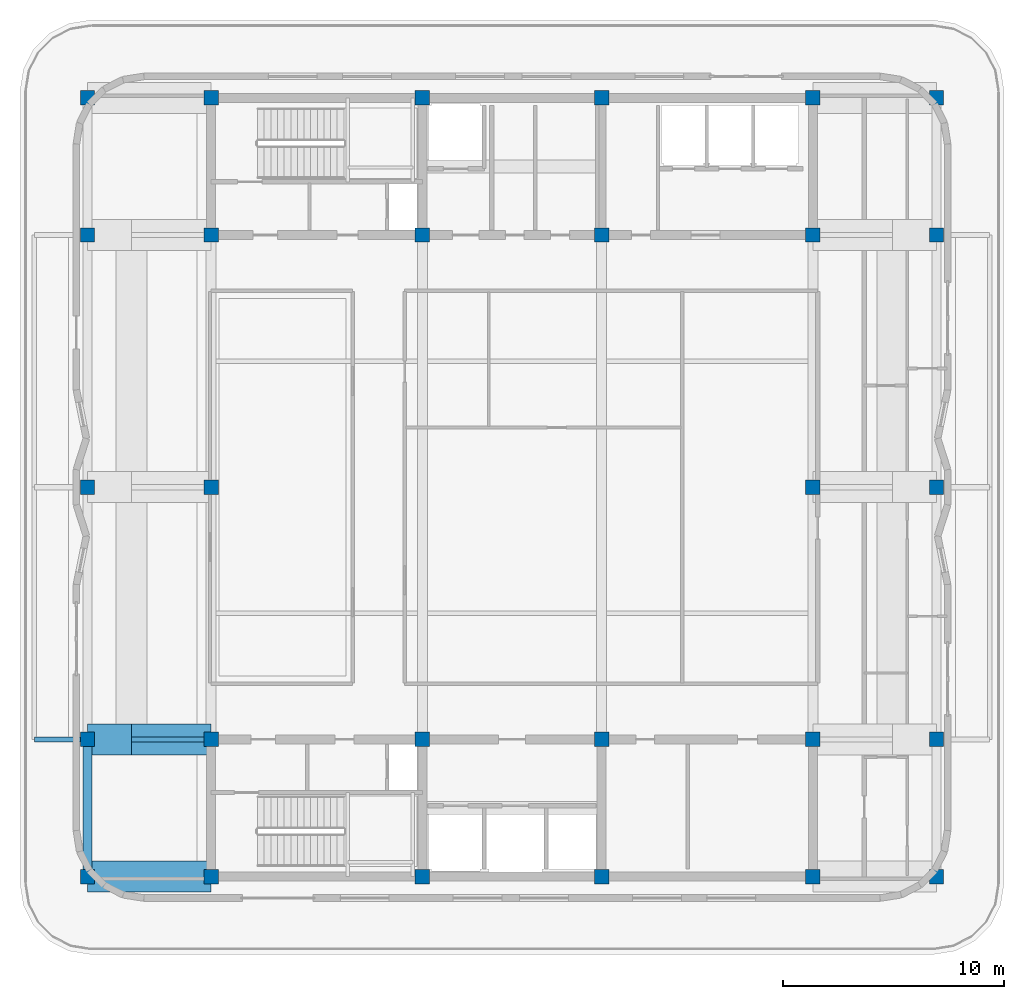
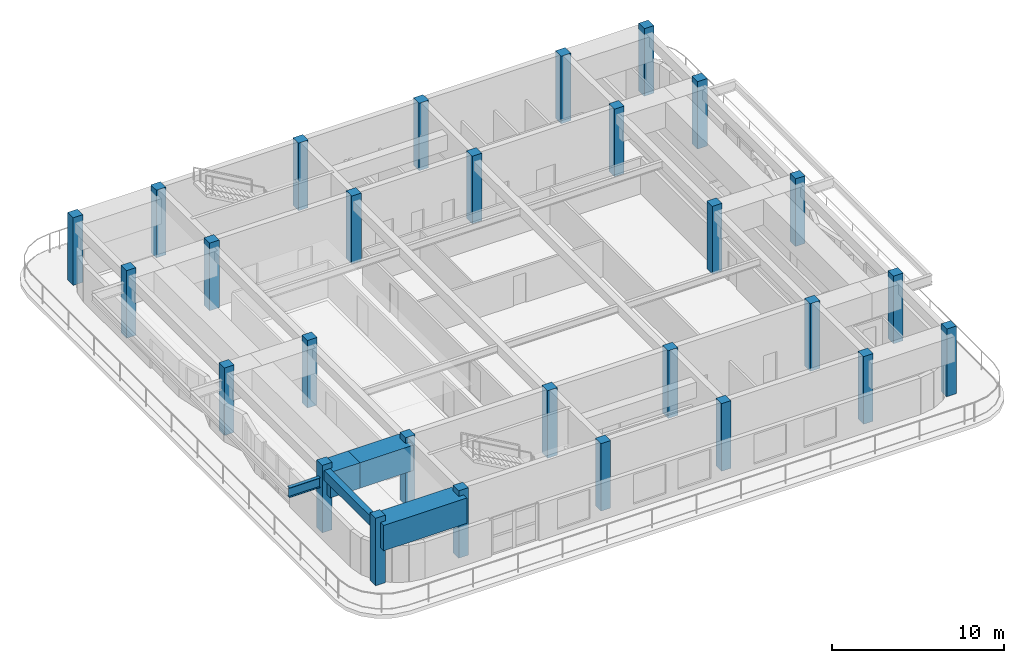
# One storey, part 1 of 12: 28 columns, 5 beams.
"""IFC4 building model written with IfcOpenShell, lengths in metres."""

from ifc_helpers import new_model, si_unit, direction, frame, origin, origin_2d, place, context, subcontext, project, spatial, rectangle, i_section, extrude, material, material_profile, profile_set, type_object, element, save


model = new_model("IFC4")

# Units and contexts
model_context = context("Model", 3, precision=1e-05, world=origin(), true_north=direction((0.0, 1.0)))
body_context = subcontext(model_context, "Body", "Model", "MODEL_VIEW")
ifc_project = project(units=[si_unit("LENGTHUNIT", "METRE"), si_unit("AREAUNIT", "SQUARE_METRE"), si_unit("VOLUMEUNIT", "CUBIC_METRE"), si_unit("PLANEANGLEUNIT", "RADIAN"), si_unit("MASSUNIT", "GRAM", prefix="KILO")], contexts=[model_context])

# Site, building, storey
site_placement = place(None, origin())
site = spatial("IfcSite", under=ifc_project, at=site_placement, CompositionType="ELEMENT")
building_placement = place(site_placement, origin())
building = spatial("IfcBuilding", under=site, at=building_placement, Name="Svetorya Sky Lyceum", CompositionType="ELEMENT")
storey_placement = place(building_placement, frame((0.0, 0.0, 297.199951171875)))
storey = spatial("IfcBuildingStorey", under=building, at=storey_placement, Name="L75", CompositionType="ELEMENT", Elevation=297.199951171875)

# Columns
ifc_material_1 = material(Name="Concrete C40/50", Category="concrete")
ifc_material_profile_1 = material_profile(ifc_material_1, rectangle(XDim=0.64990234375, YDim=0.64990234375, at=origin_2d()), Name="RC COL 650x650")
ifc_profile_set_1 = profile_set([ifc_material_profile_1], Name="Concrete C40/50")
column_type = type_object("IfcColumnType", Name="COL-RC-650", PredefinedType="COLUMN", material=ifc_profile_set_1)
for number, where, z_axis, x_axis, name in (
    (1, (25.60009765625, 10.60009765625, 0.0), (0.0, 0.0, 1.0), (1.0, 0.0, 0.0), "L75 Core Column CS-11"),
    (2, (25.60009765625, 16.800048828125, 0.0), (0.0, 0.0, 1.0), (1.0, 0.0, 0.0), "L75 Core Column CS-12"),
    (3, (35.14990234375, 10.60009765625, 0.0), (0.0, 0.0, 1.0), (1.0, 0.0, 0.0), "L75 Core Column CS-21"),
    (4, (35.14990234375, 16.800048828125, 0.0), (0.0, 0.0, 1.0), (1.0, 0.0, 0.0), "L75 Core Column CS-22"),
    (5, (43.25, 10.60009765625, 0.0), (0.0, 0.0, 1.0), (1.0, 0.0, 0.0), "L75 Core Column CS-31"),
    (6, (43.25, 16.800048828125, 0.0), (0.0, 0.0, 1.0), (1.0, 0.0, 0.0), "L75 Core Column CS-32"),
    (7, (52.800048828125, 10.60009765625, 0.0), (0.0, 0.0, 1.0), (1.0, 0.0, 0.0), "L75 Core Column CS-41"),
    (8, (52.800048828125, 16.800048828125, 0.0), (0.0, 0.0, 1.0), (1.0, 0.0, 0.0), "L75 Core Column CS-42"),
    (9, (25.60009765625, 39.60009765625, 0.0), (0.0, 0.0, 1.0), (1.0, 0.0, 0.0), "L75 Core Column CN-11"),
    (10, (25.60009765625, 45.800048828125, 0.0), (0.0, 0.0, 1.0), (1.0, 0.0, 0.0), "L75 Core Column CN-12"),
    (11, (35.14990234375, 39.60009765625, 0.0), (0.0, 0.0, 1.0), (1.0, 0.0, 0.0), "L75 Core Column CN-21"),
    (12, (35.14990234375, 45.800048828125, 0.0), (0.0, 0.0, 1.0), (1.0, 0.0, 0.0), "L75 Core Column CN-22"),
    (13, (43.25, 39.60009765625, 0.0), (0.0, 0.0, 1.0), (1.0, 0.0, 0.0), "L75 Core Column CN-31"),
    (14, (43.25, 45.800048828125, 0.0), (0.0, 0.0, 1.0), (1.0, 0.0, 0.0), "L75 Core Column CN-32"),
    (15, (52.800048828125, 39.60009765625, 0.0), (0.0, 0.0, 1.0), (1.0, 0.0, 0.0), "L75 Core Column CN-41"),
    (16, (52.800048828125, 45.800048828125, 0.0), (0.0, 0.0, 1.0), (1.0, 0.0, 0.0), "L75 Core Column CN-42"),
    (17, (25.60009765625, 28.199951171875, 0.0), (0.0, 0.0, 1.0), (1.0, 0.0, 0.0), "L75 Core Column CM-W"),
    (18, (52.800048828125, 28.199951171875, 0.0), (0.0, 0.0, 1.0), (1.0, 0.0, 0.0), "L75 Core Column CM-E"),
    (19, (20.010009765625, 10.60009765625, 0.0), (0.0, 0.0, 1.0), (1.0, 0.0, 0.0), "L75 Perimeter Column W1"),
    (20, (58.389892578125, 10.60009765625, 0.0), (0.0, 0.0, 1.0), (1.0, 0.0, 0.0), "L75 Perimeter Column E1"),
    (21, (20.010009765625, 16.800048828125, 0.0), (0.0, 0.0, 1.0), (1.0, 0.0, 0.0), "L75 Perimeter Column W2"),
    (22, (58.389892578125, 16.800048828125, 0.0), (0.0, 0.0, 1.0), (1.0, 0.0, 0.0), "L75 Perimeter Column E2"),
    (23, (20.010009765625, 28.199951171875, 0.0), (0.0, 0.0, 1.0), (1.0, 0.0, 0.0), "L75 Perimeter Column W3"),
    (24, (58.389892578125, 28.199951171875, 0.0), (0.0, 0.0, 1.0), (1.0, 0.0, 0.0), "L75 Perimeter Column E3"),
    (25, (20.010009765625, 39.60009765625, 0.0), (0.0, 0.0, 1.0), (1.0, 0.0, 0.0), "L75 Perimeter Column W4"),
    (26, (58.389892578125, 39.60009765625, 0.0), (0.0, 0.0, 1.0), (1.0, 0.0, 0.0), "L75 Perimeter Column E4"),
    (27, (20.010009765625, 45.800048828125, 0.0), (0.0, 0.0, 1.0), (1.0, 0.0, 0.0), "L75 Perimeter Column W5"),
    (28, (58.389892578125, 45.800048828125, 0.0), (0.0, 0.0, 1.0), (1.0, 0.0, 0.0), "L75 Perimeter Column E5"),
):
    element("IfcColumn", number, at=place(storey_placement, frame(where, z_axis=z_axis, x_axis=x_axis)), inside=storey, type_object=column_type, Name=name, PredefinedType="COLUMN", context=body_context, shape_type="SweptSolid", body=[
        extrude(rectangle(XDim=0.64990234375, YDim=0.64990234375, at=origin_2d()), origin(), (0.0, 0.0, 1.0), 4.800048828125),
    ])

# Beams
ifc_material_2 = material(Name="Concrete C50/60", Category="concrete")
ifc_material_profile_2 = material_profile(ifc_material_2, rectangle(XDim=0.39990234375, YDim=0.699951171875, at=origin_2d()), Name="RC SPANDREL 400x700")
ifc_profile_set_2 = profile_set([ifc_material_profile_2], Name="Concrete C50/60")
beam_type_1 = type_object("IfcBeamType", Name="BM-SPN-700", PredefinedType="SPANDREL", material=ifc_profile_set_2)
beam_1_placement = place(storey_placement, frame((20.010009765625, 10.60009765625, 4.050048828125), z_axis=(0.0, 1.0, 0.0), x_axis=(-1.0, 0.0, 0.0)))
element("IfcBeam", 29, at=beam_1_placement, inside=storey, type_object=beam_type_1, Name="L75 West Spandrel 1", PredefinedType="SPANDREL", context=body_context, shape_type="SweptSolid", body=[
    extrude(rectangle(XDim=0.39990234375, YDim=0.699951171875, at=origin_2d()), origin(), (0.0, 0.0, 1.0), 6.199951171875),
])
ifc_material_3 = material(Name="Steel S355", Category="steel")
ifc_material_profile_3 = material_profile(ifc_material_3, i_section(OverallWidth=0.239990234375, OverallDepth=0.697998046875, WebThickness=0.013427734375, FlangeThickness=0.021484375, at=origin_2d()), Name="GOST 70B2")
ifc_profile_set_3 = profile_set([ifc_material_profile_3], Name="Steel S355")
beam_type_2 = type_object("IfcBeamType", Name="BM-STL-70B2", PredefinedType="BEAM", material=ifc_profile_set_3)
beam_2_placement = place(storey_placement, frame((25.60009765625, 16.800048828125, 3.449951171875), z_axis=(-1.0, 0.0, 0.0), x_axis=(0.0, -1.0, 0.0)))
element("IfcBeam", 30, at=beam_2_placement, inside=storey, type_object=beam_type_2, Name="Orbital Canopy Backspanned Girder W1", PredefinedType="BEAM", context=body_context, shape_type="SweptSolid", body=[
    extrude(i_section(OverallWidth=0.239990234375, OverallDepth=0.697998046875, WebThickness=0.013427734375, FlangeThickness=0.021484375, at=origin_2d()), origin(), (0.0, 0.0, 1.0), 7.989990234375),
])
ifc_material_4 = material(Name="Concrete C60/75", Category="concrete")
ifc_material_profile_4 = material_profile(ifc_material_4, rectangle(XDim=1.39990234375, YDim=1.800048828125, at=origin_2d()), Name="RC TRANSFER 1400x1800")
ifc_profile_set_4 = profile_set([ifc_material_profile_4], Name="Concrete C60/75")
beam_type_3 = type_object("IfcBeamType", Name="BM-TRF-2200", PredefinedType="BEAM", material=ifc_profile_set_4)
beam_3_placement = place(storey_placement, frame((20.010009765625, 10.60009765625, 3.5), z_axis=(1.0, 0.0, 0.0), x_axis=(0.0, 1.0, 0.0)))
element("IfcBeam", 31, at=beam_3_placement, inside=storey, type_object=beam_type_3, Name="L75 West Edge Tie Girder 1", PredefinedType="BEAM", context=body_context, shape_type="SweptSolid", body=[
    extrude(rectangle(XDim=1.39990234375, YDim=1.800048828125, at=origin_2d()), origin(), (0.0, 0.0, 1.0), 5.590087890625),
])
beam_4_placement = place(storey_placement, frame((20.010009765625, 16.800048828125, 3.5), z_axis=(1.0, 0.0, 0.0), x_axis=(0.0, 1.0, 0.0)))
element("IfcBeam", 32, at=beam_4_placement, inside=storey, type_object=beam_type_3, Name="L75 West Outer Transfer Girder 2", PredefinedType="BEAM", context=body_context, shape_type="SweptSolid", body=[
    extrude(rectangle(XDim=1.39990234375, YDim=1.800048828125, at=origin_2d()), origin(), (0.0, 0.0, 1.0), 2.0),
])
beam_5_placement = place(storey_placement, frame((22.010009765625, 16.800048828125, 3.5), z_axis=(1.0, 0.0, 0.0), x_axis=(0.0, 1.0, 0.0)))
element("IfcBeam", 33, at=beam_5_placement, inside=storey, type_object=beam_type_3, Name="L75 West Inner Transfer Girder 2", PredefinedType="BEAM", context=body_context, shape_type="SweptSolid", body=[
    extrude(rectangle(XDim=1.39990234375, YDim=1.800048828125, at=origin_2d()), origin(), (0.0, 0.0, 1.0), 3.590087890625),
])

save(model, "model.ifc")
